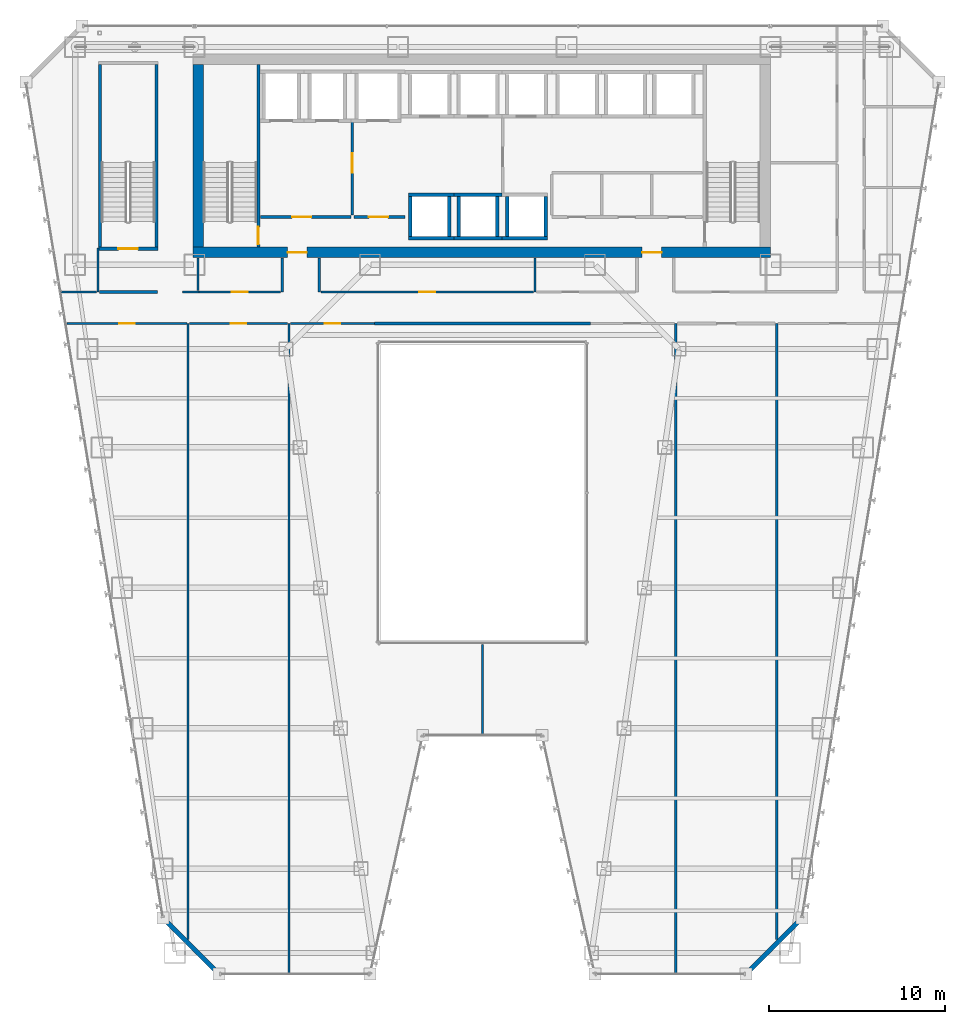
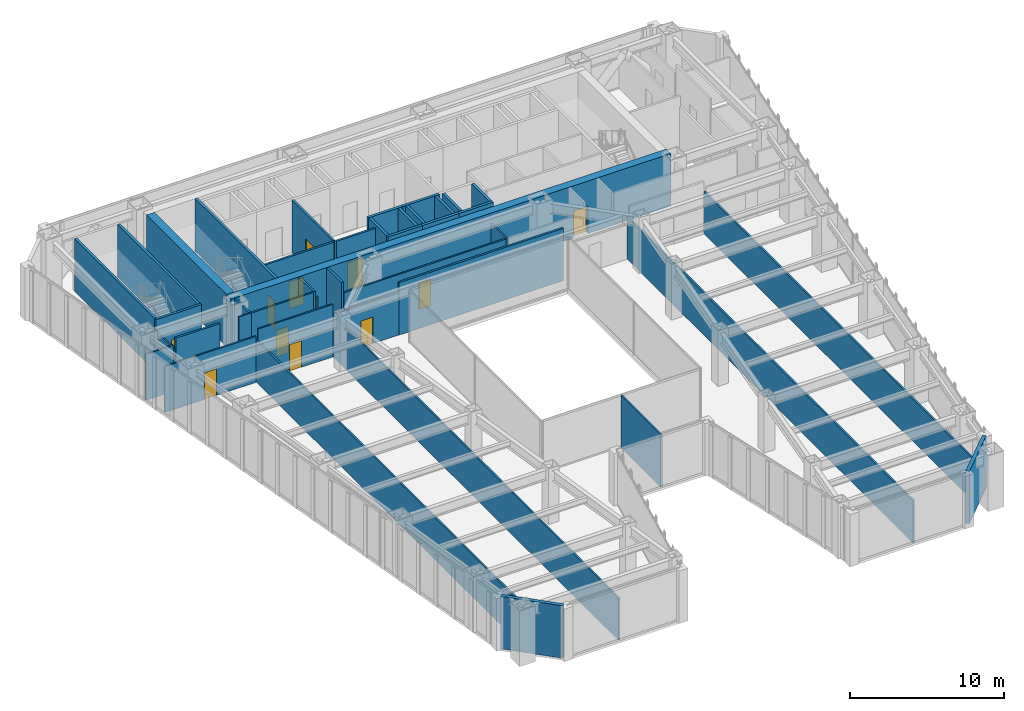
# One storey, part 36 of 47: 41 walls, 12 doors, 12 openings.
"""IFC4 building model written with IfcOpenShell, lengths in metres."""

from ifc_helpers import new_model, si_unit, direction, frame, frame_2d, origin, place, context, subcontext, project, spatial, rectangle, extrude, material, layer, layer_set, type_object, element, fill, save


model = new_model("IFC4")

# Units and contexts
model_context = context("Model", 3, precision=1e-05, world=origin(), true_north=direction((0.0, 1.0)))
body_context = subcontext(model_context, "Body", "Model", "MODEL_VIEW")
ifc_project = project(units=[si_unit("LENGTHUNIT", "METRE"), si_unit("AREAUNIT", "SQUARE_METRE"), si_unit("VOLUMEUNIT", "CUBIC_METRE"), si_unit("PLANEANGLEUNIT", "RADIAN"), si_unit("MASSUNIT", "GRAM", prefix="KILO")], contexts=[model_context])

# Site, building, storey
site_placement = place(None, origin())
site = spatial("IfcSite", under=ifc_project, at=site_placement, CompositionType="ELEMENT")
building_placement = place(site_placement, origin())
building = spatial("IfcBuilding", under=site, at=building_placement, Name="Saevonmaru Cultural Tower", CompositionType="ELEMENT")
storey_placement = place(building_placement, frame((0.0, 0.0, 69.199951171875)))
storey = spatial("IfcBuildingStorey", under=building, at=storey_placement, Name="L14", CompositionType="ELEMENT", Elevation=69.199951171875)

# Wall, openings, doors
ifc_material_1 = material(Name="Concrete C60/75", Category="concrete")
ifc_layer_1 = layer(ifc_material_1, 0.60009765625, Name="Concrete C60/75")
ifc_layer_set_1 = layer_set([ifc_layer_1], Name="Concrete C60/75")
wall_type_1 = type_object("IfcWallType", Name="WL-CORE-600", PredefinedType="SHEAR", material=ifc_layer_set_1)
wall_1_placement = place(storey_placement, frame((13.5, 43.10009765625, 0.0), z_axis=(0.0, 0.0, 1.0), x_axis=(1.0, 0.0, 0.0)))
wall_1 = element("IfcWall", 1, at=wall_1_placement, inside=storey, type_object=wall_type_1, Name="L14 Tower RC core shear wall S", PredefinedType="SHEAR", context=body_context, shape_type="SweptSolid", body=[
    extrude(rectangle(XDim=32.89990234375, YDim=0.60009765625, at=frame_2d((16.449951171875, 0.0))), origin(), (0.0, 0.0, 1.0), 4.150146484375),
])
opening_1_placement = place(wall_1_placement, frame((5.39990234375, 0.0, 0.0)))
opening_1 = element("IfcOpeningElement", 2, at=opening_1_placement, cuts=wall_1, Name="Opening FD-2", PredefinedType="OPENING", context=body_context, shape_type="SweptSolid", body=[
    extrude(rectangle(XDim=1.10009765625, YDim=2.14990234375, at=frame_2d((0.550048828125, 1.074951171875))), frame((0.0, 0.31005859375, 0.0), z_axis=(0.0, -1.0, 0.0), x_axis=(1.0, 0.0, 0.0)), (0.0, 0.0, 1.0), 0.6201171875),
])
opening_2_placement = place(wall_1_placement, frame((25.60009765625, 0.0, 0.0)))
opening_2 = element("IfcOpeningElement", 3, at=opening_2_placement, cuts=wall_1, Name="Opening FD-2", PredefinedType="OPENING", context=body_context, shape_type="SweptSolid", body=[
    extrude(rectangle(XDim=1.10009765625, YDim=2.14990234375, at=frame_2d((0.550048828125, 1.074951171875))), frame((0.0, 0.31005859375, 0.0), z_axis=(0.0, -1.0, 0.0), x_axis=(1.0, 0.0, 0.0)), (0.0, 0.0, 1.0), 0.6201171875),
])
ifc_material_2 = material(Name="Satin Bronze Anodised Aluminium", Category="aluminium")
door_type_1 = type_object("IfcDoorType", Name="DR-FD60-1100", OperationType="SINGLE_SWING_LEFT", PredefinedType="DOOR", material=ifc_material_2)
door_1_placement = place(opening_1_placement, origin())
door_1 = element("IfcDoor", 4, at=door_1_placement, inside=storey, type_object=door_type_1, Name="L14 Core West Lobby Fire Door", OperationType="SINGLE_SWING_LEFT", OverallHeight=2.14990234375, OverallWidth=1.10009765625, PredefinedType="DOOR", context=body_context, shape_type="SweptSolid", body=[
    extrude(rectangle(XDim=1.10009765625, YDim=2.14990234375, at=frame_2d((0.550048828125, 1.074951171875))), frame((0.0, 0.02490234375, 0.0), z_axis=(0.0, -1.0, 0.0), x_axis=(1.0, 0.0, 0.0)), (0.0, 0.0, 1.0), 0.050048828125),
])
fill(opening_1, door_1)
door_2_placement = place(opening_2_placement, origin())
door_2 = element("IfcDoor", 5, at=door_2_placement, inside=storey, type_object=door_type_1, Name="L14 Core East Lobby Fire Door", OperationType="SINGLE_SWING_LEFT", OverallHeight=2.14990234375, OverallWidth=1.10009765625, PredefinedType="DOOR", context=body_context, shape_type="SweptSolid", body=[
    extrude(rectangle(XDim=1.10009765625, YDim=2.14990234375, at=frame_2d((0.550048828125, 1.074951171875))), frame((0.0, 0.02490234375, 0.0), z_axis=(0.0, -1.0, 0.0), x_axis=(1.0, 0.0, 0.0)), (0.0, 0.0, 1.0), 0.050048828125),
])
fill(opening_2, door_2)

# Wall
wall_2_placement = place(storey_placement, frame((13.800048828125, 43.39990234375, 0.0), z_axis=(0.0, 0.0, 1.0), x_axis=(0.0, 1.0, 0.0)))
element("IfcWall", 6, at=wall_2_placement, inside=storey, type_object=wall_type_1, Name="L14 Tower RC core shear wall W", PredefinedType="SHEAR", context=body_context, shape_type="SweptSolid", body=[
    extrude(rectangle(XDim=10.400146484375, YDim=0.60009765625, at=frame_2d((5.2001953125, 0.0))), origin(), (0.0, 0.0, 1.0), 4.150146484375),
])

# Wall, opening, door
ifc_material_3 = material(Name="Gypsum Fireboard Partition", Category="gypsum")
ifc_layer_2 = layer(ifc_material_3, 0.14990234375, Name="Gypsum Fireboard Partition")
ifc_layer_set_2 = layer_set([ifc_layer_2], Name="Gypsum Fireboard Partition")
wall_type_2 = type_object("IfcWallType", Name="WL-CORE-PART-150", PredefinedType="PARTITIONING", material=ifc_layer_set_2)
wall_3_placement = place(storey_placement, frame((17.360107421875, 45.1201171875, 0.0), z_axis=(0.0, 0.0, 1.0), x_axis=(1.0, 0.0, 0.0)))
wall_3 = element("IfcWall", 7, at=wall_3_placement, inside=storey, type_object=wall_type_2, Name="L14 Firefighting Lift Lobby South Wall", PredefinedType="PARTITIONING", context=body_context, shape_type="SweptSolid", body=[
    extrude(rectangle(XDim=5.139892578125, YDim=0.14990234375, at=frame_2d((2.56982421875, 0.0))), origin(), (0.0, 0.0, 1.0), 4.150146484375),
])
opening_3_placement = place(wall_3_placement, frame((1.800048828125, 0.0, 0.0)))
opening_3 = element("IfcOpeningElement", 8, at=opening_3_placement, cuts=wall_3, Name="Opening FD-2", PredefinedType="OPENING", context=body_context, shape_type="SweptSolid", body=[
    extrude(rectangle(XDim=1.10009765625, YDim=2.14990234375, at=frame_2d((0.550048828125, 1.074951171875))), frame((0.0, 0.0849609375, 0.0), z_axis=(0.0, -1.0, 0.0), x_axis=(1.0, 0.0, 0.0)), (0.0, 0.0, 1.0), 0.169921875),
])
door_3_placement = place(opening_3_placement, origin())
door_3 = element("IfcDoor", 9, at=door_3_placement, inside=storey, type_object=door_type_1, Name="L14 Firefighting Lift Lobby South Door", OperationType="SINGLE_SWING_LEFT", OverallHeight=2.14990234375, OverallWidth=1.10009765625, PredefinedType="DOOR", context=body_context, shape_type="SweptSolid", body=[
    extrude(rectangle(XDim=1.10009765625, YDim=2.14990234375, at=frame_2d((0.550048828125, 1.074951171875))), frame((0.0, 0.02490234375, 0.0), z_axis=(0.0, -1.0, 0.0), x_axis=(1.0, 0.0, 0.0)), (0.0, 0.0, 1.0), 0.050048828125),
])
fill(opening_3, door_3)

wall_4_placement = place(storey_placement, frame((22.580078125, 50.550048828125, 0.0), z_axis=(0.0, 0.0, 1.0), x_axis=(0.0, -1.0, 0.0)))
wall_4 = element("IfcWall", 10, at=wall_4_placement, inside=storey, type_object=wall_type_2, Name="L14 Firefighting Lift Lobby East Wall", PredefinedType="PARTITIONING", context=body_context, shape_type="SweptSolid", body=[
    extrude(rectangle(XDim=5.330078125, YDim=0.14990234375, at=frame_2d((2.6650390625, 0.0))), origin(), (0.0, 0.0, 1.0), 4.150146484375),
])
opening_4_placement = place(wall_4_placement, frame((1.800048828125, 0.0, 0.0)))
opening_4 = element("IfcOpeningElement", 11, at=opening_4_placement, cuts=wall_4, Name="Opening FD-2", PredefinedType="OPENING", context=body_context, shape_type="SweptSolid", body=[
    extrude(rectangle(XDim=1.10009765625, YDim=2.14990234375, at=frame_2d((0.550048828125, 1.074951171875))), frame((0.0, 0.0849609375, 0.0), z_axis=(0.0, -1.0, 0.0), x_axis=(1.0, 0.0, 0.0)), (0.0, 0.0, 1.0), 0.169921875),
])
door_4_placement = place(opening_4_placement, origin())
door_4 = element("IfcDoor", 12, at=door_4_placement, inside=storey, type_object=door_type_1, Name="L14 Firefighting Lift Lobby East Door", OperationType="SINGLE_SWING_LEFT", OverallHeight=2.14990234375, OverallWidth=1.10009765625, PredefinedType="DOOR", context=body_context, shape_type="SweptSolid", body=[
    extrude(rectangle(XDim=1.10009765625, YDim=2.14990234375, at=frame_2d((0.550048828125, 1.074951171875))), frame((0.0, 0.02490234375, 0.0), z_axis=(0.0, -1.0, 0.0), x_axis=(1.0, 0.0, 0.0)), (0.0, 0.0, 1.0), 0.050048828125),
])
fill(opening_4, door_4)

wall_5_placement = place(storey_placement, frame((22.679931640625, 45.1201171875, 0.0), z_axis=(0.0, 0.0, 1.0), x_axis=(1.0, 0.0, 0.0)))
wall_5 = element("IfcWall", 13, at=wall_5_placement, inside=storey, type_object=wall_type_2, Name="L14 Service Lift Vestibule Wall", PredefinedType="PARTITIONING", context=body_context, shape_type="SweptSolid", body=[
    extrude(rectangle(XDim=2.920166015625, YDim=0.14990234375, at=frame_2d((1.4599609375, 0.0))), origin(), (0.0, 0.0, 1.0), 4.150146484375),
])
opening_5_placement = place(wall_5_placement, frame((0.85009765625, 0.0, 0.0)))
opening_5 = element("IfcOpeningElement", 14, at=opening_5_placement, cuts=wall_5, Name="Opening FD-2", PredefinedType="OPENING", context=body_context, shape_type="SweptSolid", body=[
    extrude(rectangle(XDim=1.10009765625, YDim=2.14990234375, at=frame_2d((0.550048828125, 1.074951171875))), frame((0.0, 0.0849609375, 0.0), z_axis=(0.0, -1.0, 0.0), x_axis=(1.0, 0.0, 0.0)), (0.0, 0.0, 1.0), 0.169921875),
])
door_5_placement = place(opening_5_placement, origin())
door_5 = element("IfcDoor", 15, at=door_5_placement, inside=storey, type_object=door_type_1, Name="L14 Service Lift Vestibule Door", OperationType="SINGLE_SWING_LEFT", OverallHeight=2.14990234375, OverallWidth=1.10009765625, PredefinedType="DOOR", context=body_context, shape_type="SweptSolid", body=[
    extrude(rectangle(XDim=1.10009765625, YDim=2.14990234375, at=frame_2d((0.550048828125, 1.074951171875))), frame((0.0, 0.02490234375, 0.0), z_axis=(0.0, -1.0, 0.0), x_axis=(1.0, 0.0, 0.0)), (0.0, 0.0, 1.0), 0.050048828125),
])
fill(opening_5, door_5)

# Walls
ifc_material_4 = material(Name="Granite-Clad Precast Concrete C40/50", Category="masonry")
ifc_layer_3 = layer(ifc_material_4, 0.260009765625, Name="Granite-Clad Precast Concrete C40/50")
ifc_layer_set_3 = layer_set([ifc_layer_3], Name="Granite-Clad Precast Concrete C40/50")
wall_type_3 = type_object("IfcWallType", Name="WL-EXT-SPANDREL-260", PredefinedType="STANDARD", material=ifc_layer_set_3)
for number, where, z_axis, x_axis, name in (
    (16, (11.9130859375, 5.0869140625, 0.0), (0.0, 0.0, 1.0), (0.707106781187, -0.707106781187, 0.0), "L14 Chamfer Corner Spandrel Wall E1"),
    (17, (45.113037109375, 2.113037109375, 0.0), (0.0, 0.0, 1.0), (0.707106781187, 0.707106781187, 0.0), "L14 Chamfer Corner Spandrel Wall E7"),
):
    element("IfcWall", number, at=place(storey_placement, frame(where, z_axis=z_axis, x_axis=x_axis)), inside=storey, type_object=wall_type_3, Name=name, PredefinedType="STANDARD", context=body_context, shape_type="SweptSolid", body=[
        extrude(rectangle(XDim=4.205810546875, YDim=0.260009765625, at=frame_2d((2.10302734375, 0.0))), origin(), (0.0, 0.0, 1.0), 4.150146484375),
    ])
ifc_layer_4 = layer(ifc_material_3, 0.14990234375, Name="Gypsum Fireboard Partition")
ifc_layer_set_4 = layer_set([ifc_layer_4], Name="Gypsum Fireboard Partition")
wall_type_4 = type_object("IfcWallType", Name="WL-PART-FIRE-150", PredefinedType="PARTITIONING", material=ifc_layer_set_4)
wall_6_placement = place(storey_placement, frame((8.179931640625, 40.85009765625, 0.0), z_axis=(0.0, 0.0, 1.0), x_axis=(1.0, 0.0, 0.0)))
element("IfcWall", 18, at=wall_6_placement, inside=storey, type_object=wall_type_4, Name="L14 Stair ST-3 South Vestibule Wall", PredefinedType="PARTITIONING", context=body_context, shape_type="SweptSolid", body=[
    extrude(rectangle(XDim=3.300048828125, YDim=0.14990234375, at=frame_2d((1.64990234375, 0.0))), origin(), (0.0, 0.0, 1.0), 4.150146484375),
])
for number, where, z_axis, x_axis, name in (
    (19, (18.60009765625, 40.85009765625, 0.0), (0.0, 0.0, 1.0), (0.0, 1.0, 0.0), "L14 Core Portal Side Wall W1"),
    (20, (20.699951171875, 40.85009765625, 0.0), (0.0, 0.0, 1.0), (0.0, 1.0, 0.0), "L14 Core Portal Side Wall W2"),
):
    element("IfcWall", number, at=place(storey_placement, frame(where, z_axis=z_axis, x_axis=x_axis)), inside=storey, type_object=wall_type_4, Name=name, PredefinedType="PARTITIONING", context=body_context, shape_type="SweptSolid", body=[
        extrude(rectangle(XDim=1.929931640625, YDim=0.14990234375, at=frame_2d((0.96484375, 0.0))), origin(), (0.0, 0.0, 1.0), 4.150146484375),
    ])
wall_7_placement = place(storey_placement, frame((23.85009765625, 39.050048828125, 0.0), z_axis=(0.0, 0.0, 1.0), x_axis=(1.0, 0.0, 0.0)))
element("IfcWall", 21, at=wall_7_placement, inside=storey, type_object=wall_type_4, Name="L14 North Atrium Corridor Wall", PredefinedType="PARTITIONING", context=body_context, shape_type="SweptSolid", body=[
    extrude(rectangle(XDim=12.2998046875, YDim=0.14990234375, at=frame_2d((6.14990234375, 0.0))), origin(), (0.0, 0.0, 1.0), 4.150146484375),
])
ifc_layer_5 = layer(ifc_material_3, 0.1201171875, Name="Gypsum Fireboard Partition")
ifc_layer_set_5 = layer_set([ifc_layer_5], Name="Gypsum Fireboard Partition")
wall_type_5 = type_object("IfcWallType", Name="WL-PART-GYP-120", PredefinedType="PARTITIONING", material=ifc_layer_set_5)
wall_8_placement = place(storey_placement, frame((12.919921875, 40.85009765625, 0.0), z_axis=(0.0, 0.0, 1.0), x_axis=(1.0, 0.0, 0.0)))
element("IfcWall", 22, at=wall_8_placement, inside=storey, type_object=wall_type_5, Name="L14 NW Inner South Wall", PredefinedType="PARTITIONING", context=body_context, shape_type="SweptSolid", body=[
    extrude(rectangle(XDim=0.93017578125, YDim=0.1201171875, at=frame_2d((0.465087890625, 0.0))), origin(), (0.0, 0.0, 1.0), 4.150146484375),
])
wall_9_placement = place(storey_placement, frame((13.800048828125, 40.929931640625, 0.0), z_axis=(0.0, 0.0, 1.0), x_axis=(0.0, 1.0, 0.0)))
element("IfcWall", 23, at=wall_9_placement, inside=storey, type_object=wall_type_5, Name="L14 NW Inner Core Return", PredefinedType="PARTITIONING", context=body_context, shape_type="SweptSolid", body=[
    extrude(rectangle(XDim=1.85009765625, YDim=0.1201171875, at=frame_2d((0.925048828125, 0.0))), origin(), (0.0, 0.0, 1.0), 4.150146484375),
])
wall_10_placement = place(storey_placement, frame((8.10009765625, 40.85009765625, 0.0), z_axis=(0.0, 0.0, 1.0), x_axis=(0.0, 1.0, 0.0)))
element("IfcWall", 24, at=wall_10_placement, inside=storey, type_object=wall_type_5, Name="L14 NW Stair Return", PredefinedType="PARTITIONING", context=body_context, shape_type="SweptSolid", body=[
    extrude(rectangle(XDim=2.5, YDim=0.1201171875, at=frame_2d((1.25, 0.0))), origin(), (0.0, 0.0, 1.0), 3.3349609375),
])
wall_11_placement = place(storey_placement, frame((5.96337890625, 40.85009765625, 0.0), z_axis=(0.0, 0.0, 1.0), x_axis=(1.0, 0.0, 0.0)))
element("IfcWall", 25, at=wall_11_placement, inside=storey, type_object=wall_type_5, Name="L14 Printmaking Workshop Classroom Corridor Wall", PredefinedType="PARTITIONING", context=body_context, shape_type="SweptSolid", body=[
    extrude(rectangle(XDim=2.056640625, YDim=0.1201171875, at=frame_2d((1.0283203125, 0.0))), origin(), (0.0, 0.0, 1.0), 3.635009765625),
])

# Wall, opening, door
wall_12_placement = place(storey_placement, frame((13.85009765625, 40.85009765625, 0.0), z_axis=(0.0, 0.0, 1.0), x_axis=(1.0, 0.0, 0.0)))
wall_12 = element("IfcWall", 26, at=wall_12_placement, inside=storey, type_object=wall_type_5, Name="L14 Design Seminar Classroom Corridor Wall", PredefinedType="PARTITIONING", context=body_context, shape_type="SweptSolid", body=[
    extrude(rectangle(XDim=4.65478515625, YDim=0.1201171875, at=frame_2d((2.327392578125, 0.0))), origin(), (0.0, 0.0, 1.0), 4.150146484375),
])
opening_6_placement = place(wall_12_placement, frame((1.876953125, 0.0, 0.0)))
opening_6 = element("IfcOpeningElement", 27, at=opening_6_placement, cuts=wall_12, Name="Opening ID-2", PredefinedType="OPENING", context=body_context, shape_type="SweptSolid", body=[
    extrude(rectangle(XDim=0.89990234375, YDim=2.10009765625, at=frame_2d((0.449951171875, 1.050048828125))), frame((0.0, 0.070068359375, 0.0), z_axis=(0.0, -1.0, 0.0), x_axis=(1.0, 0.0, 0.0)), (0.0, 0.0, 1.0), 0.14013671875),
])
ifc_material_5 = material(Name="Acoustic Stained Oak Timber", Category="wood")
door_type_2 = type_object("IfcDoorType", Name="DR-INT-900", OperationType="SINGLE_SWING_RIGHT", PredefinedType="DOOR", material=ifc_material_5)
door_6_placement = place(opening_6_placement, origin())
door_6 = element("IfcDoor", 28, at=door_6_placement, inside=storey, type_object=door_type_2, Name="L14 Design Seminar Classroom Door", OperationType="SINGLE_SWING_LEFT", OverallHeight=2.10009765625, OverallWidth=0.89990234375, PredefinedType="DOOR", context=body_context, shape_type="SweptSolid", body=[
    extrude(rectangle(XDim=0.89990234375, YDim=2.10009765625, at=frame_2d((0.449951171875, 1.050048828125))), frame((0.0, 0.02490234375, 0.0), z_axis=(0.0, -1.0, 0.0), x_axis=(1.0, 0.0, 0.0)), (0.0, 0.0, 1.0), 0.050048828125),
])
fill(opening_6, door_6)

# Wall
wall_13_placement = place(storey_placement, frame((33.0, 40.85009765625, 0.0), z_axis=(0.0, 0.0, 1.0), x_axis=(0.0, 1.0, 0.0)))
element("IfcWall", 29, at=wall_13_placement, inside=storey, type_object=wall_type_5, Name="L14 Spine Alcove Split", PredefinedType="PARTITIONING", context=body_context, shape_type="SweptSolid", body=[
    extrude(rectangle(XDim=1.929931640625, YDim=0.1201171875, at=frame_2d((0.96484375, 0.0))), origin(), (0.0, 0.0, 1.0), 3.3349609375),
])

# Wall, opening, door
wall_14_placement = place(storey_placement, frame((20.794921875, 40.85009765625, 0.0), z_axis=(0.0, 0.0, 1.0), x_axis=(1.0, 0.0, 0.0)))
wall_14 = element("IfcWall", 30, at=wall_14_placement, inside=storey, type_object=wall_type_5, Name="L14 Design Seminar Classroom Corridor Wall", PredefinedType="PARTITIONING", context=body_context, shape_type="SweptSolid", body=[
    extrude(rectangle(XDim=12.125, YDim=0.1201171875, at=frame_2d((6.0625, 0.0))), origin(), (0.0, 0.0, 1.0), 3.3349609375),
])
opening_7_placement = place(wall_14_placement, frame((5.612060546875, 0.0, 0.0)))
opening_7 = element("IfcOpeningElement", 31, at=opening_7_placement, cuts=wall_14, Name="Opening ID-2", PredefinedType="OPENING", context=body_context, shape_type="SweptSolid", body=[
    extrude(rectangle(XDim=0.89990234375, YDim=2.10009765625, at=frame_2d((0.449951171875, 1.050048828125))), frame((0.0, 0.070068359375, 0.0), z_axis=(0.0, -1.0, 0.0), x_axis=(1.0, 0.0, 0.0)), (0.0, 0.0, 1.0), 0.14013671875),
])
door_7_placement = place(opening_7_placement, origin())
door_7 = element("IfcDoor", 32, at=door_7_placement, inside=storey, type_object=door_type_2, Name="L14 Design Seminar Classroom Door", OperationType="SINGLE_SWING_RIGHT", OverallHeight=2.10009765625, OverallWidth=0.89990234375, PredefinedType="DOOR", context=body_context, shape_type="SweptSolid", body=[
    extrude(rectangle(XDim=0.89990234375, YDim=2.10009765625, at=frame_2d((0.449951171875, 1.050048828125))), frame((0.0, 0.02490234375, 0.0), z_axis=(0.0, -1.0, 0.0), x_axis=(1.0, 0.0, 0.0)), (0.0, 0.0, 1.0), 0.050048828125),
])
fill(opening_7, door_7)

# Walls
wall_15_placement = place(storey_placement, frame((13.239990234375, 3.97216796875, 0.0), z_axis=(0.0, 0.0, 1.0), x_axis=(0.0, 1.0, 0.0)))
element("IfcWall", 33, at=wall_15_placement, inside=storey, type_object=wall_type_5, Name="L14 West Bay Divider 1", PredefinedType="PARTITIONING", context=body_context, shape_type="SweptSolid", body=[
    extrude(rectangle(XDim=35.077880859375, YDim=0.1201171875, at=frame_2d((17.5390625, 0.0))), origin(), (0.0, 0.0, 1.0), 3.3349609375),
])
wall_16_placement = place(storey_placement, frame((18.97998046875, 2.0048828125, 0.0), z_axis=(0.0, 0.0, 1.0), x_axis=(0.0, 1.0, 0.0)))
element("IfcWall", 34, at=wall_16_placement, inside=storey, type_object=wall_type_5, Name="L14 West Bay Divider 2", PredefinedType="PARTITIONING", context=body_context, shape_type="SweptSolid", body=[
    extrude(rectangle(XDim=37.045166015625, YDim=0.1201171875, at=frame_2d((18.5224609375, 0.0))), origin(), (0.0, 0.0, 1.0), 3.3349609375),
])
wall_17_placement = place(storey_placement, frame((30.0, 15.60498046875, 0.0), z_axis=(0.0, 0.0, 1.0), x_axis=(0.0, 1.0, 0.0)))
element("IfcWall", 35, at=wall_17_placement, inside=storey, type_object=wall_type_5, Name="L14 South Atrium Center Split", PredefinedType="PARTITIONING", context=body_context, shape_type="SweptSolid", body=[
    extrude(rectangle(XDim=5.175048828125, YDim=0.1201171875, at=frame_2d((2.58740234375, 0.0))), origin(), (0.0, 0.0, 1.0), 4.150146484375),
])

# Wall, opening, door
wall_18_placement = place(storey_placement, frame((6.348388671875, 39.050048828125, 0.0), z_axis=(0.0, 0.0, 1.0), x_axis=(1.0, 0.0, 0.0)))
wall_18 = element("IfcWall", 36, at=wall_18_placement, inside=storey, type_object=wall_type_5, Name="L14 Design Seminar Classroom Corridor Wall", PredefinedType="PARTITIONING", context=body_context, shape_type="SweptSolid", body=[
    extrude(rectangle(XDim=6.8115234375, YDim=0.1201171875, at=frame_2d((3.40576171875, 0.0))), origin(), (0.0, 0.0, 1.0), 3.635009765625),
])
opening_8_placement = place(wall_18_placement, frame((2.9560546875, 0.0, 0.0)))
opening_8 = element("IfcOpeningElement", 37, at=opening_8_placement, cuts=wall_18, Name="Opening ID-2", PredefinedType="OPENING", context=body_context, shape_type="SweptSolid", body=[
    extrude(rectangle(XDim=0.89990234375, YDim=2.10009765625, at=frame_2d((0.449951171875, 1.050048828125))), frame((0.0, 0.070068359375, 0.0), z_axis=(0.0, -1.0, 0.0), x_axis=(1.0, 0.0, 0.0)), (0.0, 0.0, 1.0), 0.14013671875),
])
door_8_placement = place(opening_8_placement, origin())
door_8 = element("IfcDoor", 38, at=door_8_placement, inside=storey, type_object=door_type_2, Name="L14 Design Seminar Classroom Door", OperationType="SINGLE_SWING_LEFT", OverallHeight=2.10009765625, OverallWidth=0.89990234375, PredefinedType="DOOR", context=body_context, shape_type="SweptSolid", body=[
    extrude(rectangle(XDim=0.89990234375, YDim=2.10009765625, at=frame_2d((0.449951171875, 1.050048828125))), frame((0.0, 0.02490234375, 0.0), z_axis=(0.0, -1.0, 0.0), x_axis=(1.0, 0.0, 0.0)), (0.0, 0.0, 1.0), 0.050048828125),
])
fill(opening_8, door_8)

wall_19_placement = place(storey_placement, frame((13.320068359375, 39.050048828125, 0.0), z_axis=(0.0, 0.0, 1.0), x_axis=(1.0, 0.0, 0.0)))
wall_19 = element("IfcWall", 39, at=wall_19_placement, inside=storey, type_object=wall_type_5, Name="L14 Printmaking Workshop Classroom Corridor Wall", PredefinedType="PARTITIONING", context=body_context, shape_type="SweptSolid", body=[
    extrude(rectangle(XDim=5.579833984375, YDim=0.1201171875, at=frame_2d((2.7900390625, 0.0))), origin(), (0.0, 0.0, 1.0), 4.150146484375),
])
opening_9_placement = place(wall_19_placement, frame((2.340087890625, 0.0, 0.0)))
opening_9 = element("IfcOpeningElement", 40, at=opening_9_placement, cuts=wall_19, Name="Opening ID-2", PredefinedType="OPENING", context=body_context, shape_type="SweptSolid", body=[
    extrude(rectangle(XDim=0.89990234375, YDim=2.10009765625, at=frame_2d((0.449951171875, 1.050048828125))), frame((0.0, 0.070068359375, 0.0), z_axis=(0.0, -1.0, 0.0), x_axis=(1.0, 0.0, 0.0)), (0.0, 0.0, 1.0), 0.14013671875),
])
door_9_placement = place(opening_9_placement, origin())
door_9 = element("IfcDoor", 41, at=door_9_placement, inside=storey, type_object=door_type_2, Name="L14 Printmaking Workshop Classroom Door", OperationType="SINGLE_SWING_RIGHT", OverallHeight=2.10009765625, OverallWidth=0.89990234375, PredefinedType="DOOR", context=body_context, shape_type="SweptSolid", body=[
    extrude(rectangle(XDim=0.89990234375, YDim=2.10009765625, at=frame_2d((0.449951171875, 1.050048828125))), frame((0.0, 0.02490234375, 0.0), z_axis=(0.0, -1.0, 0.0), x_axis=(1.0, 0.0, 0.0)), (0.0, 0.0, 1.0), 0.050048828125),
])
fill(opening_9, door_9)

wall_20_placement = place(storey_placement, frame((19.06005859375, 39.050048828125, 0.0), z_axis=(0.0, 0.0, 1.0), x_axis=(1.0, 0.0, 0.0)))
wall_20 = element("IfcWall", 42, at=wall_20_placement, inside=storey, type_object=wall_type_5, Name="L14 Typography Design Classroom Corridor Wall", PredefinedType="PARTITIONING", context=body_context, shape_type="SweptSolid", body=[
    extrude(rectangle(XDim=4.7900390625, YDim=0.1201171875, at=frame_2d((2.39501953125, 0.0))), origin(), (0.0, 0.0, 1.0), 3.3349609375),
])
opening_10_placement = place(wall_20_placement, frame((1.945068359375, 0.0, 0.0)))
opening_10 = element("IfcOpeningElement", 43, at=opening_10_placement, cuts=wall_20, Name="Opening ID-2", PredefinedType="OPENING", context=body_context, shape_type="SweptSolid", body=[
    extrude(rectangle(XDim=0.89990234375, YDim=2.10009765625, at=frame_2d((0.449951171875, 1.050048828125))), frame((0.0, 0.070068359375, 0.0), z_axis=(0.0, -1.0, 0.0), x_axis=(1.0, 0.0, 0.0)), (0.0, 0.0, 1.0), 0.14013671875),
])
door_10_placement = place(opening_10_placement, origin())
door_10 = element("IfcDoor", 44, at=door_10_placement, inside=storey, type_object=door_type_2, Name="L14 Typography Design Classroom Door", OperationType="SINGLE_SWING_LEFT", OverallHeight=2.10009765625, OverallWidth=0.89990234375, PredefinedType="DOOR", context=body_context, shape_type="SweptSolid", body=[
    extrude(rectangle(XDim=0.89990234375, YDim=2.10009765625, at=frame_2d((0.449951171875, 1.050048828125))), frame((0.0, 0.02490234375, 0.0), z_axis=(0.0, -1.0, 0.0), x_axis=(1.0, 0.0, 0.0)), (0.0, 0.0, 1.0), 0.050048828125),
])
fill(opening_10, door_10)

# Walls
ifc_layer_6 = layer(ifc_material_3, 0.135009765625, Name="Gypsum Fireboard Partition")
ifc_layer_set_6 = layer_set([ifc_layer_6], Name="Gypsum Fireboard Partition")
wall_type_6 = type_object("IfcWallType", Name="WL-PART-GYP-135", PredefinedType="PARTITIONING", material=ifc_layer_set_6)
wall_21_placement = place(storey_placement, frame((41.02001953125, 2.0048828125, 0.0), z_axis=(0.0, 0.0, 1.0), x_axis=(0.0, 1.0, 0.0)))
element("IfcWall", 45, at=wall_21_placement, inside=storey, type_object=wall_type_6, Name="L14 East Bay Divider 1", PredefinedType="PARTITIONING", context=body_context, shape_type="SweptSolid", body=[
    extrude(rectangle(XDim=37.045166015625, YDim=0.135009765625, at=frame_2d((18.5224609375, 0.0))), origin(), (0.0, 0.0, 1.0), 3.3349609375),
])
wall_22_placement = place(storey_placement, frame((46.760009765625, 3.97216796875, 0.0), z_axis=(0.0, 0.0, 1.0), x_axis=(0.0, 1.0, 0.0)))
element("IfcWall", 46, at=wall_22_placement, inside=storey, type_object=wall_type_6, Name="L14 East Bay Divider 2", PredefinedType="PARTITIONING", context=body_context, shape_type="SweptSolid", body=[
    extrude(rectangle(XDim=35.077880859375, YDim=0.135009765625, at=frame_2d((17.5390625, 0.0))), origin(), (0.0, 0.0, 1.0), 3.3349609375),
])
ifc_material_6 = material(Name="Concrete C40/50", Category="concrete")
ifc_layer_7 = layer(ifc_material_6, 0.199951171875, Name="Concrete C40/50")
ifc_layer_set_7 = layer_set([ifc_layer_7], Name="Concrete C40/50")
wall_type_7 = type_object("IfcWallType", Name="WL-SHAFT-200", PredefinedType="SHEAR", material=ifc_layer_set_7)
for number, where, z_axis, x_axis, name in (
    (47, (25.800048828125, 43.89990234375, 0.0), (0.0, 0.0, 1.0), (1.0, 0.0, 0.0), "L14 Lift PL-M1 Hoistway Wall S"),
    (48, (25.800048828125, 46.39990234375, 0.0), (0.0, 0.0, 1.0), (1.0, 0.0, 0.0), "L14 Lift PL-M1 Hoistway Wall N"),
):
    element("IfcWall", number, at=place(storey_placement, frame(where, z_axis=z_axis, x_axis=x_axis)), inside=storey, type_object=wall_type_7, Name=name, PredefinedType="SHEAR", context=body_context, shape_type="SweptSolid", body=[
        extrude(rectangle(XDim=2.574951171875, YDim=0.199951171875, at=frame_2d((1.28759765625, 0.0))), origin(), (0.0, 0.0, 1.0), 4.150146484375),
    ])
for number, where, z_axis, x_axis, name in (
    (49, (25.89990234375, 44.0, 0.0), (0.0, 0.0, 1.0), (0.0, 1.0, 0.0), "L14 Lift PL-M1 Hoistway Wall W"),
    (50, (28.10009765625, 44.0, 0.0), (0.0, 0.0, 1.0), (0.0, 1.0, 0.0), "L14 Lift PL-M1 Hoistway Wall E"),
):
    element("IfcWall", number, at=place(storey_placement, frame(where, z_axis=z_axis, x_axis=x_axis)), inside=storey, type_object=wall_type_7, Name=name, PredefinedType="SHEAR", context=body_context, shape_type="SweptSolid", body=[
        extrude(rectangle(XDim=2.300048828125, YDim=0.199951171875, at=frame_2d((1.14990234375, 0.0))), origin(), (0.0, 0.0, 1.0), 4.150146484375),
    ])
for number, where, z_axis, x_axis, name in (
    (51, (28.375, 43.89990234375, 0.0), (0.0, 0.0, 1.0), (1.0, 0.0, 0.0), "L14 Lift PL-M2 Hoistway Wall S"),
    (52, (28.375, 46.39990234375, 0.0), (0.0, 0.0, 1.0), (1.0, 0.0, 0.0), "L14 Lift PL-M2 Hoistway Wall N"),
):
    element("IfcWall", number, at=place(storey_placement, frame(where, z_axis=z_axis, x_axis=x_axis)), inside=storey, type_object=wall_type_7, Name=name, PredefinedType="SHEAR", context=body_context, shape_type="SweptSolid", body=[
        extrude(rectangle(XDim=2.75, YDim=0.199951171875, at=frame_2d((1.375, 0.0))), origin(), (0.0, 0.0, 1.0), 4.150146484375),
    ])
for number, where, z_axis, x_axis, name in (
    (53, (28.64990234375, 44.0, 0.0), (0.0, 0.0, 1.0), (0.0, 1.0, 0.0), "L14 Lift PL-M2 Hoistway Wall W"),
    (54, (30.85009765625, 44.0, 0.0), (0.0, 0.0, 1.0), (0.0, 1.0, 0.0), "L14 Lift PL-M2 Hoistway Wall E"),
):
    element("IfcWall", number, at=place(storey_placement, frame(where, z_axis=z_axis, x_axis=x_axis)), inside=storey, type_object=wall_type_7, Name=name, PredefinedType="SHEAR", context=body_context, shape_type="SweptSolid", body=[
        extrude(rectangle(XDim=2.300048828125, YDim=0.199951171875, at=frame_2d((1.14990234375, 0.0))), origin(), (0.0, 0.0, 1.0), 4.150146484375),
    ])
wall_23_placement = place(storey_placement, frame((31.125, 43.89990234375, 0.0), z_axis=(0.0, 0.0, 1.0), x_axis=(1.0, 0.0, 0.0)))
element("IfcWall", 55, at=wall_23_placement, inside=storey, type_object=wall_type_7, Name="L14 Lift PL-M3 Hoistway Wall S", PredefinedType="SHEAR", context=body_context, shape_type="SweptSolid", body=[
    extrude(rectangle(XDim=2.574951171875, YDim=0.199951171875, at=frame_2d((1.28759765625, 0.0))), origin(), (0.0, 0.0, 1.0), 4.150146484375),
])
for number, where, z_axis, x_axis, name in (
    (56, (31.39990234375, 44.0, 0.0), (0.0, 0.0, 1.0), (0.0, 1.0, 0.0), "L14 Lift PL-M3 Hoistway Wall W"),
    (57, (33.60009765625, 44.0, 0.0), (0.0, 0.0, 1.0), (0.0, 1.0, 0.0), "L14 Lift PL-M3 Hoistway Wall E"),
):
    element("IfcWall", number, at=place(storey_placement, frame(where, z_axis=z_axis, x_axis=x_axis)), inside=storey, type_object=wall_type_7, Name=name, PredefinedType="SHEAR", context=body_context, shape_type="SweptSolid", body=[
        extrude(rectangle(XDim=2.300048828125, YDim=0.199951171875, at=frame_2d((1.14990234375, 0.0))), origin(), (0.0, 0.0, 1.0), 4.150146484375),
    ])

# Wall, opening, door
ifc_layer_8 = layer(ifc_material_6, 0.179931640625, Name="Concrete C40/50")
ifc_layer_set_8 = layer_set([ifc_layer_8], Name="Concrete C40/50")
wall_type_8 = type_object("IfcWallType", Name="WL-STSHAFT-180", PredefinedType="SHEAR", material=ifc_layer_set_8)
wall_24_placement = place(storey_placement, frame((17.239990234375, 43.39990234375, 0.0), z_axis=(0.0, 0.0, 1.0), x_axis=(0.0, 1.0, 0.0)))
wall_24 = element("IfcWall", 58, at=wall_24_placement, inside=storey, type_object=wall_type_8, Name="L14 Stair ST-1 Structural Shaft Wall 1", PredefinedType="SHEAR", context=body_context, shape_type="SweptSolid", body=[
    extrude(rectangle(XDim=10.400146484375, YDim=0.179931640625, at=frame_2d((5.2001953125, 0.0))), origin(), (0.0, 0.0, 1.0), 4.150146484375),
])
opening_11_placement = place(wall_24_placement, frame((0.159912109375, 0.0, 0.0)))
opening_11 = element("IfcOpeningElement", 59, at=opening_11_placement, cuts=wall_24, Name="Opening FD-3", PredefinedType="OPENING", context=body_context, shape_type="SweptSolid", body=[
    extrude(rectangle(XDim=1.0, YDim=2.14990234375, at=frame_2d((0.5, 1.074951171875))), frame((0.0, 0.10009765625, 0.0), z_axis=(0.0, -1.0, 0.0), x_axis=(1.0, 0.0, 0.0)), (0.0, 0.0, 1.0), 0.199951171875),
])
door_type_3 = type_object("IfcDoorType", Name="DR-FD60-1000", OperationType="SINGLE_SWING_RIGHT", PredefinedType="DOOR", material=ifc_material_2)
door_11_placement = place(opening_11_placement, origin())
door_11 = element("IfcDoor", 60, at=door_11_placement, inside=storey, type_object=door_type_3, Name="L14 Protected Stair ST-1 Fire Door", OperationType="SINGLE_SWING_RIGHT", OverallHeight=2.14990234375, OverallWidth=1.0, PredefinedType="DOOR", context=body_context, shape_type="SweptSolid", body=[
    extrude(rectangle(XDim=1.0, YDim=2.14990234375, at=frame_2d((0.5, 1.074951171875))), frame((0.0, 0.02490234375, 0.0), z_axis=(0.0, -1.0, 0.0), x_axis=(1.0, 0.0, 0.0)), (0.0, 0.0, 1.0), 0.050048828125),
])
fill(opening_11, door_11)

wall_25_placement = place(storey_placement, frame((8.1201171875, 43.31005859375, 0.0), z_axis=(0.0, 0.0, 1.0), x_axis=(1.0, 0.0, 0.0)))
wall_25 = element("IfcWall", 61, at=wall_25_placement, inside=storey, type_object=wall_type_8, Name="L14 Stair ST-3 Structural Shaft Wall 1", PredefinedType="SHEAR", context=body_context, shape_type="SweptSolid", body=[
    extrude(rectangle(XDim=3.409912109375, YDim=0.179931640625, at=frame_2d((1.705078125, 0.0))), origin(), (0.0, 0.0, 1.0), 4.150146484375),
])
opening_12_placement = place(wall_25_placement, frame((1.14990234375, 0.0, 0.0)))
opening_12 = element("IfcOpeningElement", 62, at=opening_12_placement, cuts=wall_25, Name="Opening FD-2", PredefinedType="OPENING", context=body_context, shape_type="SweptSolid", body=[
    extrude(rectangle(XDim=1.10009765625, YDim=2.14990234375, at=frame_2d((0.550048828125, 1.074951171875))), frame((0.0, 0.10009765625, 0.0), z_axis=(0.0, -1.0, 0.0), x_axis=(1.0, 0.0, 0.0)), (0.0, 0.0, 1.0), 0.199951171875),
])
door_12_placement = place(opening_12_placement, origin())
door_12 = element("IfcDoor", 63, at=door_12_placement, inside=storey, type_object=door_type_1, Name="L14 Protected Stair ST-3 Fire Door", OperationType="SINGLE_SWING_LEFT", OverallHeight=2.14990234375, OverallWidth=1.10009765625, PredefinedType="DOOR", context=body_context, shape_type="SweptSolid", body=[
    extrude(rectangle(XDim=1.10009765625, YDim=2.14990234375, at=frame_2d((0.550048828125, 1.074951171875))), frame((0.0, 0.02490234375, 0.0), z_axis=(0.0, -1.0, 0.0), x_axis=(1.0, 0.0, 0.0)), (0.0, 0.0, 1.0), 0.050048828125),
])
fill(opening_12, door_12)

# Walls
for number, where, z_axis, x_axis, name in (
    (64, (11.43994140625, 43.39990234375, 0.0), (0.0, 0.0, 1.0), (0.0, 1.0, 0.0), "L14 Stair ST-3 Structural Shaft Wall 2"),
    (65, (8.2099609375, 53.800048828125, 0.0), (0.0, 0.0, 1.0), (0.0, -1.0, 0.0), "L14 Stair ST-3 Structural Shaft Wall 4"),
):
    element("IfcWall", number, at=place(storey_placement, frame(where, z_axis=z_axis, x_axis=x_axis)), inside=storey, type_object=wall_type_8, Name=name, PredefinedType="SHEAR", context=body_context, shape_type="SweptSolid", body=[
        extrude(rectangle(XDim=10.400146484375, YDim=0.179931640625, at=frame_2d((5.2001953125, 0.0))), origin(), (0.0, 0.0, 1.0), 4.150146484375),
    ])

save(model, "model.ifc")
